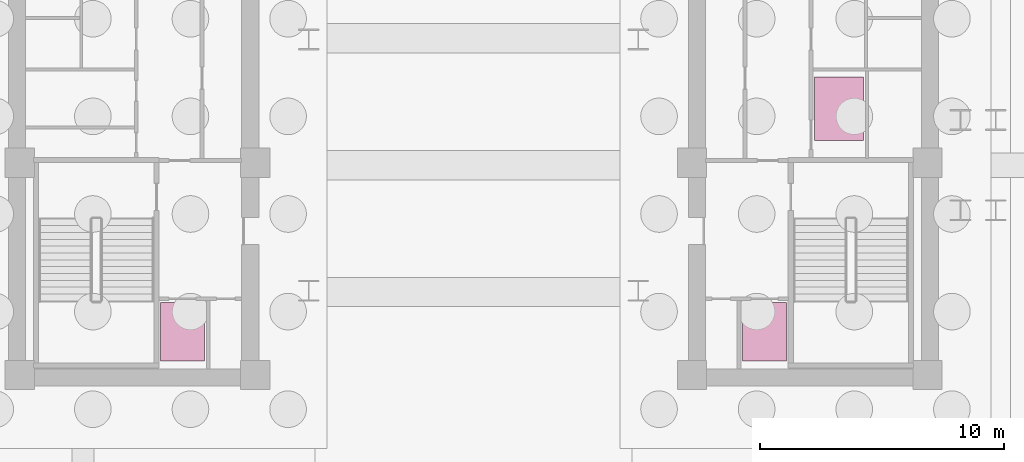
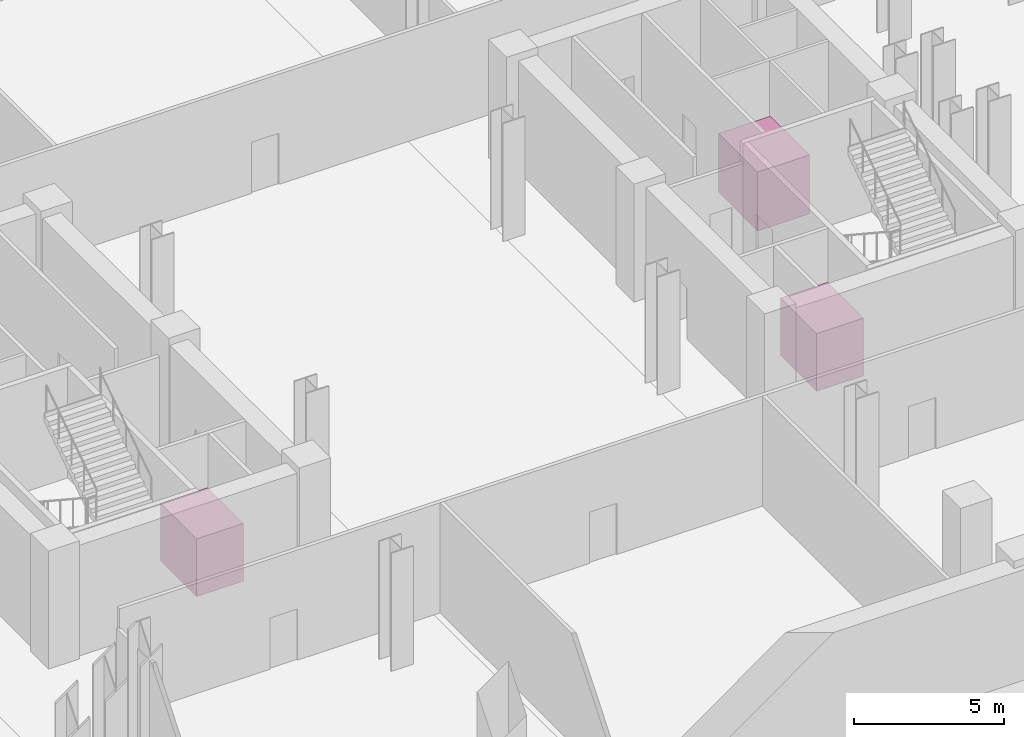
# One storey, part 10 of 10: 3 transport elements.
"""IFC4 building model written with IfcOpenShell, lengths in metres."""

import ifcopenshell
import ifcopenshell.guid

model = None  # the IFC model being written
_history = None  # IfcOwnerHistory: only IFC2X3 demands one
_inside = {}  # id of a spatial element -> (the spatial element, [elements in it])
_under = {}  # id of a project, library or spatial element -> (it, [spatial elements below it])
_declared = {}  # id of a project -> (the project, [libraries it declares])
_typed = {}  # id of a type object -> (the type object, [elements of that type])
_made_of = {}  # id of a material, layer set ... -> (it, [elements and type objects made of it])


def new_model(schema):
    """Start an empty IFC model of exactly this schema.

    Asked for "IFC4X3", IfcOpenShell would pick the latest addendum, in which some entities
    have other attributes; the version numbers below select the first issue.
    IFC2X3 requires an IfcOwnerHistory on every rooted entity: one is made here for all.
    """
    global model, _history
    if schema == "IFC4X3":
        model = ifcopenshell.file(schema_version=(4, 3, 0, 0))
    else:
        model = ifcopenshell.file(schema=schema)
    _inside.clear()
    _under.clear()
    _declared.clear()
    _typed.clear()
    _made_of.clear()
    _history = None
    if model.schema == "IFC2X3":
        org = make("IfcOrganization", Name="unknown")
        user = make(
            "IfcPersonAndOrganization",
            ThePerson=make("IfcPerson", FamilyName="unknown"),
            TheOrganization=org,
        )
        app = make(
            "IfcApplication",
            ApplicationDeveloper=org,
            Version="unknown",
            ApplicationFullName="unknown",
            ApplicationIdentifier="unknown",
        )
        _history = make(
            "IfcOwnerHistory",
            OwningUser=user,
            OwningApplication=app,
            ChangeAction="ADDED",
            CreationDate=0,
        )
    return model


def make(cls, **values):
    """One entity of the class cls with the attributes given. An attribute that is None is left unset."""
    return model.create_entity(
        cls, **{name: value for name, value in values.items() if value is not None}
    )


def rooted(cls, **values):
    """An entity with a GlobalId (a new one), such as an element, a storey or a relation."""
    return make(cls, GlobalId=ifcopenshell.guid.new(), OwnerHistory=_history, **values)


def si_unit(unit_type, name, prefix=None):
    """IfcSIUnit, for example si_unit("LENGTHUNIT", "METRE", prefix="MILLI")."""
    return make("IfcSIUnit", UnitType=unit_type, Prefix=prefix, Name=name)


def assignment(units):
    """IfcUnitAssignment: the units of a project."""
    return None if units is None else make("IfcUnitAssignment", Units=units)


def point(xyz):
    """IfcCartesianPoint."""
    return None if xyz is None else make("IfcCartesianPoint", Coordinates=xyz)


def direction(xyz):
    """IfcDirection."""
    return None if xyz is None else make("IfcDirection", DirectionRatios=xyz)


def frame(location, z_axis=None, x_axis=None):
    """IfcAxis2Placement3D, a coordinate frame: its origin and axes. An axis left out is left unset."""
    return make(
        "IfcAxis2Placement3D",
        Location=point(location),
        Axis=direction(z_axis),
        RefDirection=direction(x_axis),
    )


def frame_2d(location, x_axis=None):
    """IfcAxis2Placement2D, a coordinate frame in the plane: its origin and x axis."""
    return make(
        "IfcAxis2Placement2D", Location=point(location), RefDirection=direction(x_axis)
    )


def origin():
    """The frame at (0, 0, 0) with its axes left unset."""
    return frame((0.0, 0.0, 0.0))


def origin_2d():
    """The frame at (0, 0) in the plane with its x axis left unset."""
    return frame_2d((0.0, 0.0))


def place(relative_to, where):
    """IfcLocalPlacement: puts the frame where relative to a parent placement (None: the world)."""
    return make(
        "IfcLocalPlacement", PlacementRelTo=relative_to, RelativePlacement=where
    )


def context(
    kind, dimensions, precision=None, world=None, true_north=None, identifier=None
):
    """IfcGeometricRepresentationContext, for example the 3D "Model" context."""
    return make(
        "IfcGeometricRepresentationContext",
        ContextIdentifier=identifier,
        ContextType=kind,
        CoordinateSpaceDimension=dimensions,
        Precision=precision,
        WorldCoordinateSystem=world,
        TrueNorth=true_north,
    )


def subcontext(parent, identifier, kind, view, scale=None):
    """IfcGeometricRepresentationSubContext, for example "Body" below "Model"."""
    return make(
        "IfcGeometricRepresentationSubContext",
        ContextIdentifier=identifier,
        ContextType=kind,
        ParentContext=parent,
        TargetScale=scale,
        TargetView=view,
    )


def project(units=None, contexts=None):
    """IfcProject with its units and contexts."""
    return rooted(
        "IfcProject",
        Name="project",
        RepresentationContexts=contexts,
        UnitsInContext=assignment(units),
    )


def spatial(cls, under=None, at=None, **own):
    """A site, building, storey or space (cls), placed at a placement, below another one or the project."""
    s = rooted(cls, ObjectPlacement=at, **own)
    if under is not None:
        _under.setdefault(under.id(), (under, []))[1].append(s)
    return s


def profile(cls, at=None, kind="AREA", **sizes):
    """A parametric profile (cls). Its sizes go by their IFC names, for example OverallWidth=200.0."""
    return make(cls, ProfileType=kind, Position=at, **sizes)


def rectangle(**sizes):
    """IfcRectangleProfileDef."""
    return profile("IfcRectangleProfileDef", **sizes)


def extrude(swept, where, along, depth):
    """IfcExtrudedAreaSolid: the profile swept, set in the frame where, extruded along a direction by depth."""
    return make(
        "IfcExtrudedAreaSolid",
        SweptArea=swept,
        Position=where,
        ExtrudedDirection=direction(along),
        Depth=depth,
    )


def shape(context_of_items, identifier, shape_type, items):
    """IfcShapeRepresentation: the items that make up one representation, for example the "Body"."""
    return make(
        "IfcShapeRepresentation",
        ContextOfItems=context_of_items,
        RepresentationIdentifier=identifier,
        RepresentationType=shape_type,
        Items=items,
    )


def material(Name=None, Category=None):
    """IfcMaterial."""
    return make("IfcMaterial", Name=Name, Category=Category)


def made_of(thing, what):
    """Note that an element or type object is made of a material, layer set ...; save() writes the relation."""
    if what is not None:
        _made_of.setdefault(what.id(), (what, []))[1].append(thing)
    return thing


def type_object(cls, material=None, **own):
    """A type object (cls), such as IfcWallType, which elements share."""
    return made_of(rooted(cls, **own), material)


def element(
    cls,
    number,
    at=None,
    inside=None,
    cuts=None,
    type_object=None,
    material=None,
    context=None,
    identifier="Body",
    shape_type=None,
    held_by="IfcProductDefinitionShape",
    body=None,
    shapes=None,
    **own,
):
    """One element of the class cls, such as IfcWall. Its Tag is "e" and its number.

    at: its placement. inside: the storey or other place that contains it. cuts: it is an
    opening in that element (IfcRelVoidsElement). A single representation is given by context,
    identifier, shape_type and body (its items); several are given by shapes. held_by: the class
    of the entity that holds the representations. save() writes the other relations.
    """
    e = rooted(cls, Tag="e%d" % number, ObjectPlacement=at, **own)
    if body is not None:
        shapes = [shape(context, identifier, shape_type, body)]
    if shapes is not None:
        e.Representation = make(held_by, Representations=shapes)
    if inside is not None:
        _inside.setdefault(inside.id(), (inside, []))[1].append(e)
    if cuts is not None:
        rooted(
            "IfcRelVoidsElement", RelatingBuildingElement=cuts, RelatedOpeningElement=e
        )
    if type_object is not None:
        _typed.setdefault(type_object.id(), (type_object, []))[1].append(e)
    return made_of(e, material)


def aggregate(whole, parts):
    """IfcRelAggregates: a whole, such as a stair, and the parts it consists of."""
    return rooted("IfcRelAggregates", RelatingObject=whole, RelatedObjects=parts)


def save(model, path):
    """Write the relations noted so far, then the file.

    IfcRelAggregates (storeys below a building ...), IfcRelContainedInSpatialStructure (elements
    in a storey), IfcRelDefinesByType, IfcRelAssociatesMaterial and IfcRelDeclares: one each for
    every whole, place, type object, material and project.
    """
    for whole, parts in _under.values():
        aggregate(whole, parts)
    for where, things in _inside.values():
        rooted(
            "IfcRelContainedInSpatialStructure",
            RelatedElements=things,
            RelatingStructure=where,
        )
    for kind, things in _typed.values():
        rooted("IfcRelDefinesByType", RelatedObjects=things, RelatingType=kind)
    for what, things in _made_of.values():
        rooted("IfcRelAssociatesMaterial", RelatedObjects=things, RelatingMaterial=what)
    for by, libraries in _declared.values():
        rooted("IfcRelDeclares", RelatingContext=by, RelatedDefinitions=libraries)
    model.write(path)


model = new_model("IFC4")

# Units and contexts
model_context = context("Model", 3, precision=1e-05, world=origin(), true_north=direction((0.0, 1.0)))
body_context = subcontext(model_context, "Body", "Model", "MODEL_VIEW")
ifc_project = project(units=[si_unit("LENGTHUNIT", "METRE"), si_unit("AREAUNIT", "SQUARE_METRE"), si_unit("VOLUMEUNIT", "CUBIC_METRE"), si_unit("PLANEANGLEUNIT", "RADIAN"), si_unit("MASSUNIT", "GRAM", prefix="KILO")], contexts=[model_context])

# Site, building, storey
site_placement = place(None, origin())
site = spatial("IfcSite", under=ifc_project, at=site_placement, CompositionType="ELEMENT")
building_placement = place(site_placement, origin())
building = spatial("IfcBuilding", under=site, at=building_placement, Name="Velakula Bourse", CompositionType="ELEMENT")
storey_placement = place(building_placement, frame((0.0, 0.0, -9.60009765625)))
storey = spatial("IfcBuildingStorey", under=building, at=storey_placement, Name="B02", CompositionType="ELEMENT", Elevation=-9.60009765625)

# Transport elements
ifc_material = material(Name="Brushed grade 316 stainless steel", Category="steel")
transport_element_type_1 = type_object("IfcTransportElementType", Name="LFT-FIRE-1800", PredefinedType="ELEVATOR", material=ifc_material)
for number, where, z_axis, x_axis, name in (
    (1, (-11.925048828125, -6.824951171875, 0.0), (0.0, 0.0, 1.0), (1.0, 0.0, 0.0), "Elevator FFL-1 (Firefighting Lift)"),
    (2, (11.925048828125, -6.824951171875, 0.0), (0.0, 0.0, 1.0), (1.0, 0.0, 0.0), "Elevator FFL-2 (Firefighting Lift)"),
):
    element("IfcTransportElement", number, at=place(storey_placement, frame(where, z_axis=z_axis, x_axis=x_axis)), inside=storey, type_object=transport_element_type_1, Name=name, PredefinedType="ELEVATOR", context=body_context, shape_type="SweptSolid", body=[
        extrude(rectangle(XDim=1.800048828125, YDim=2.39990234375, at=origin_2d()), origin(), (0.0, 0.0, 1.0), 2.35009765625),
    ])
transport_element_type_2 = type_object("IfcTransportElementType", Name="LFT-GOODS-2500", PredefinedType="ELEVATOR", material=ifc_material)
transport_element_placement = place(storey_placement, frame((14.97509765625, 2.320068359375, 0.000244140625), z_axis=(0.0, 0.0, 1.0), x_axis=(1.0, 0.0, 0.0)))
element("IfcTransportElement", 3, at=transport_element_placement, inside=storey, type_object=transport_element_type_2, Name="Elevator SVL-1 (Goods Lift)", PredefinedType="ELEVATOR", context=body_context, shape_type="SweptSolid", body=[
    extrude(rectangle(XDim=2.0, YDim=2.60009765625, at=origin_2d()), origin(), (0.0, 0.0, 1.0), 2.39990234375),
])

save(model, "model.ifc")
